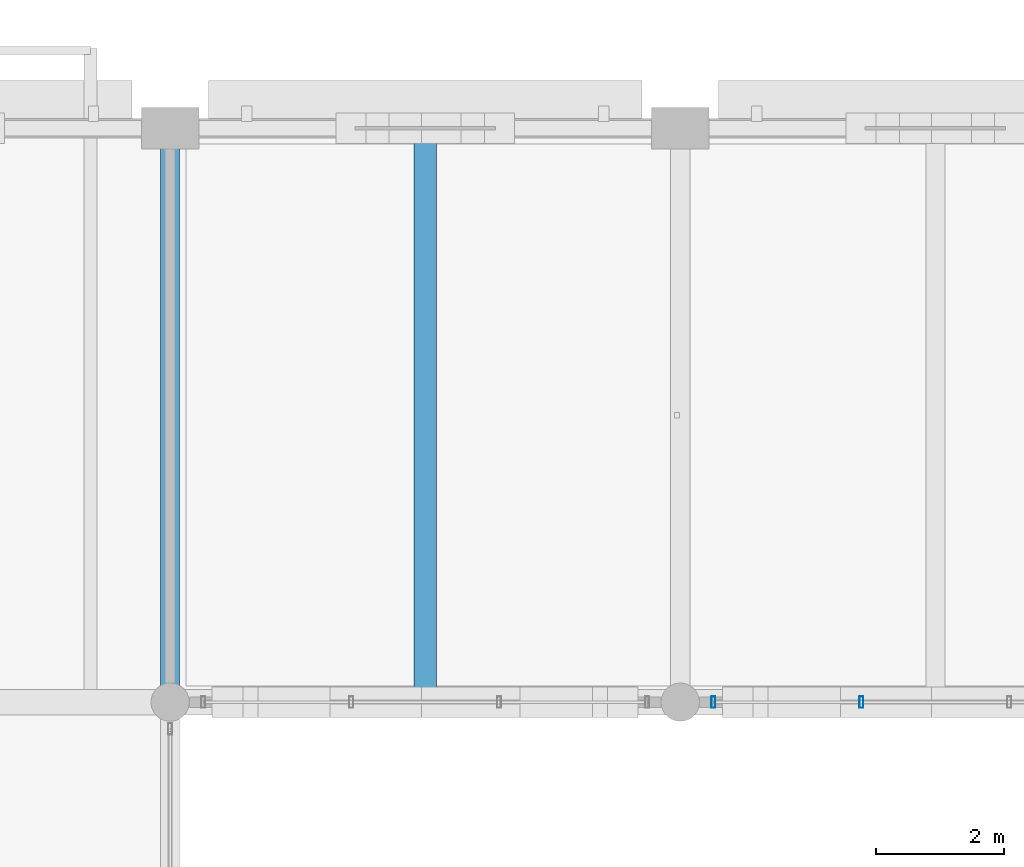
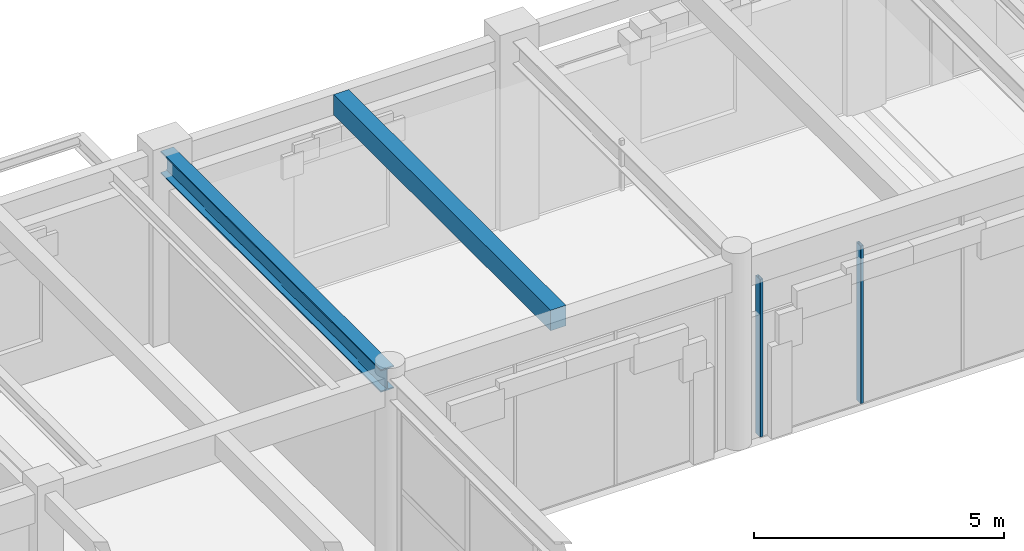
# One storey, part 50 of 144: 2 beams, 2 members, 1 element without a shape of its own.
"""IFC4 building model written with IfcOpenShell, lengths in metres."""

from ifc_helpers import new_model, si_unit, direction, frame, origin, origin_2d, place, context, subcontext, project, spatial, rectangle, hollow_rectangle, i_section, extrude, material, material_profile, profile_set, type_object, element, aggregate, save


model = new_model("IFC4")

# Units and contexts
model_context = context("Model", 3, precision=1e-05, world=origin(), true_north=direction((0.0, 1.0)))
body_context = subcontext(model_context, "Body", "Model", "MODEL_VIEW")
ifc_project = project(units=[si_unit("LENGTHUNIT", "METRE"), si_unit("AREAUNIT", "SQUARE_METRE"), si_unit("VOLUMEUNIT", "CUBIC_METRE"), si_unit("PLANEANGLEUNIT", "RADIAN"), si_unit("MASSUNIT", "GRAM", prefix="KILO")], contexts=[model_context])

# Site, building, storey
site_placement = place(None, origin())
site = spatial("IfcSite", under=ifc_project, at=site_placement, CompositionType="ELEMENT")
building_placement = place(site_placement, origin())
building = spatial("IfcBuilding", under=site, at=building_placement, Name="Varnabhumi Central Station", CompositionType="ELEMENT")
storey_placement = place(building_placement, frame((0.0, 0.0, 4.800048828125)))
storey = spatial("IfcBuildingStorey", under=building, at=storey_placement, Name="L01", CompositionType="ELEMENT", Elevation=4.800048828125)

# Beams
ifc_material_1 = material(Name="Concrete M40", Category="concrete")
ifc_material_profile_1 = material_profile(ifc_material_1, rectangle(XDim=0.35009765625, YDim=0.5, at=origin_2d()), Name="Concrete M40", Category="concrete")
ifc_profile_set_1 = profile_set([ifc_material_profile_1], Name="Concrete M40")
beam_type_1 = type_object("IfcBeamType", Name="BM-RC-350x500", PredefinedType="JOIST", material=ifc_profile_set_1)
beam_1_placement = place(storey_placement, frame((52.0, 107.199951171875, 4.300048828125), z_axis=(0.0, 1.0, 0.0), x_axis=(-1.0, 0.0, 0.0)))
element("IfcBeam", 1, at=beam_1_placement, inside=storey, type_object=beam_type_1, Name="Secondary Joist L01-7/8:N-P", PredefinedType="JOIST", context=body_context, shape_type="SweptSolid", body=[
    extrude(rectangle(XDim=0.35009765625, YDim=0.5, at=origin_2d()), origin(), (0.0, 0.0, 1.0), 8.675048828125),
])
ifc_material_2 = material(Name="Structural steel E350", Category="steel")
ifc_material_profile_2 = material_profile(ifc_material_2, i_section(OverallWidth=0.300048828125, OverallDepth=0.550048828125, WebThickness=0.014892578125, FlangeThickness=0.029052734375, FilletRadius=0.027099609375, at=origin_2d()), Name="Structural steel E350", Category="steel")
ifc_profile_set_2 = profile_set([ifc_material_profile_2], Name="Structural steel E350")
beam_type_2 = type_object("IfcBeamType", Name="BM-STL-WPB550", PredefinedType="BEAM", material=ifc_profile_set_2)
beam_2_placement = place(storey_placement, frame((48.0, 107.10009765625, 4.27490234375), z_axis=(0.0, 1.0, 0.0), x_axis=(-1.0, 0.0, 0.0)))
element("IfcBeam", 2, at=beam_2_placement, inside=storey, type_object=beam_type_2, Name="Beam L01-7:N-P", PredefinedType="BEAM", context=body_context, shape_type="SweptSolid", body=[
    extrude(i_section(OverallWidth=0.300048828125, OverallDepth=0.550048828125, WebThickness=0.014892578125, FlangeThickness=0.029052734375, FilletRadius=0.027099609375, at=origin_2d()), origin(), (0.0, 0.0, 1.0), 8.7998046875),
])

# Curtain wall, members
ifc_material_3 = material(Name="Anodised aluminium 6063-T6", Category="aluminium")
curtain_wall_type = type_object("IfcCurtainWallType", Name="CW-PATIO-LOGGIA-L1", PredefinedType="NOTDEFINED", material=ifc_material_3)
curtain_wall_placement = place(storey_placement, origin())
curtain_wall = element("IfcCurtainWall", 3, at=curtain_wall_placement, inside=storey, type_object=curtain_wall_type, Name="Curtain Wall CW-NP1N2", PredefinedType="NOTDEFINED")
ifc_material_profile_3 = material_profile(ifc_material_3, hollow_rectangle(XDim=0.06494140625, YDim=0.179931640625, WallThickness=0.00390625, InnerFilletRadius=0.001953125, OuterFilletRadius=0.006103515625, at=origin_2d()), Name="Anodised aluminium 6063-T6", Category="aluminium")
ifc_profile_set_3 = profile_set([ifc_material_profile_3], Name="Anodised aluminium 6063-T6")
member_type = type_object("IfcMemberType", Name="CW-MUL-180", PredefinedType="MULLION", material=ifc_profile_set_3)
member_1_placement = place(storey_placement, frame((56.52001953125, 107.0, 0.0), z_axis=(0.0, 0.0, 1.0), x_axis=(1.0, 0.0, 0.0)))
member_1 = element("IfcMember", 4, at=member_1_placement, type_object=member_type, Name="Curtain Wall Mullion CW-NP1N2-M1", PredefinedType="MULLION", context=body_context, shape_type="SweptSolid", body=[
    extrude(hollow_rectangle(XDim=0.06494140625, YDim=0.179931640625, WallThickness=0.00390625, InnerFilletRadius=0.001953125, OuterFilletRadius=0.006103515625, at=origin_2d()), origin(), (0.0, 0.0, 1.0), 3.83984375),
])
member_2_placement = place(storey_placement, frame((58.840087890625, 107.0, 0.0), z_axis=(0.0, 0.0, 1.0), x_axis=(1.0, 0.0, 0.0)))
member_2 = element("IfcMember", 5, at=member_2_placement, type_object=member_type, Name="Curtain Wall Mullion CW-NP1N2-M2", PredefinedType="MULLION", context=body_context, shape_type="SweptSolid", body=[
    extrude(hollow_rectangle(XDim=0.06494140625, YDim=0.179931640625, WallThickness=0.00390625, InnerFilletRadius=0.001953125, OuterFilletRadius=0.006103515625, at=origin_2d()), origin(), (0.0, 0.0, 1.0), 3.83984375),
])
aggregate(curtain_wall, [member_1, member_2])

save(model, "model.ifc")
